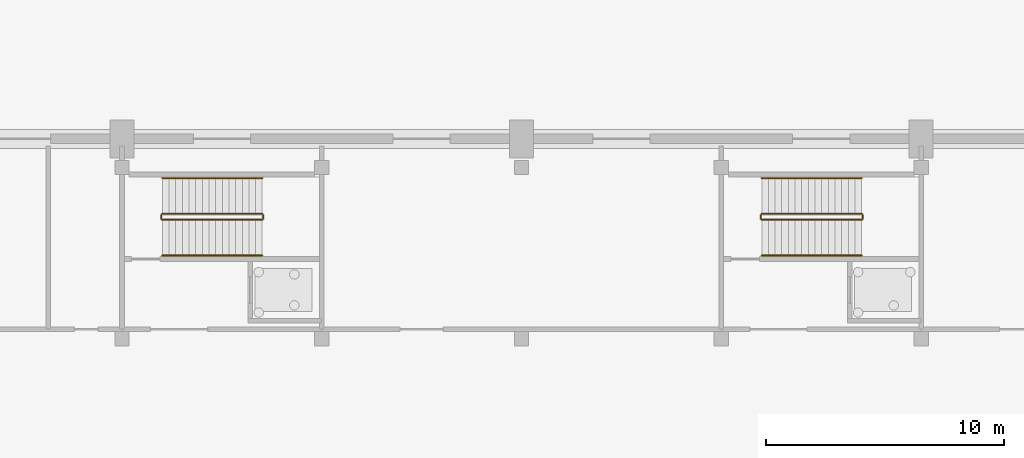
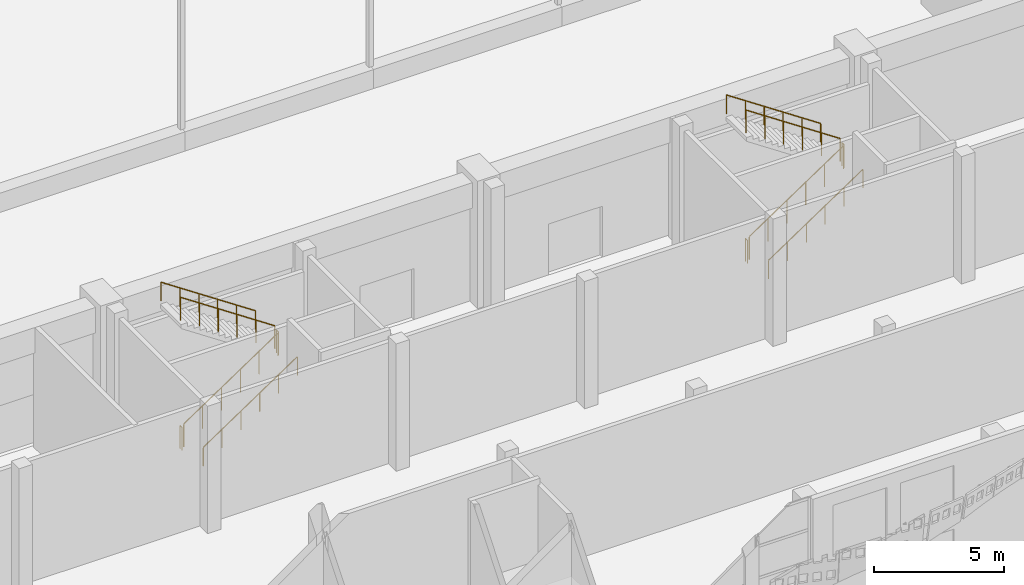
# One storey, part 177 of 210: 12 railings.
"""IFC4 building model written with IfcOpenShell, lengths in metres."""

from ifc_helpers import new_model, si_unit, direction, frame, origin, origin_2d, place, context, subcontext, project, spatial, circle, extrude, material, type_object, element, save


model = new_model("IFC4")

# Units and contexts
model_context = context("Model", 3, precision=1e-05, world=origin(), true_north=direction((0.0, 1.0)))
body_context = subcontext(model_context, "Body", "Model", "MODEL_VIEW")
ifc_project = project(units=[si_unit("LENGTHUNIT", "METRE"), si_unit("AREAUNIT", "SQUARE_METRE"), si_unit("VOLUMEUNIT", "CUBIC_METRE"), si_unit("PLANEANGLEUNIT", "RADIAN"), si_unit("MASSUNIT", "GRAM", prefix="KILO")], contexts=[model_context])

# Site, building, storey
site_placement = place(None, origin())
site = spatial("IfcSite", under=ifc_project, at=site_placement, CompositionType="ELEMENT")
building_placement = place(site_placement, origin())
building = spatial("IfcBuilding", under=site, at=building_placement, Name="Rain Tree Exposition and Congress Centre", CompositionType="ELEMENT")
storey_placement = place(building_placement, origin())
storey = spatial("IfcBuildingStorey", under=building, at=storey_placement, Name="L00", CompositionType="ELEMENT", Elevation=0.0)

# Railings
ifc_material_1 = material(Name="Aluminium and glass balustrade", Category="aluminium")
railing_type_1 = type_object("IfcRailingType", Name="Concourse guard 1100", PredefinedType="GUARDRAIL", material=ifc_material_1)
railing_1_placement = place(storey_placement, frame((77.300048828125, 97.39990234375, 0.1875)))
element("IfcRailing", 1, at=railing_1_placement, inside=storey, type_object=railing_type_1, Name="L00 ST-C9 stair guard 1", PredefinedType="GUARDRAIL", context=body_context, shape_type="SweptSolid", body=[
    extrude(circle(Radius=0.02392578125, at=origin_2d()), frame((0.0, 0.0, 1.076171875), z_axis=(0.830904186295, 0.0, 0.556415522067), x_axis=(0.0, 1.0, 0.0)), (0.0, 0.0, 1.0), 5.0546875),
    extrude(circle(Radius=0.02099609375, at=origin_2d()), origin(), (0.0, 0.0, 1.0), 1.052001953125),
    extrude(circle(Radius=0.02099609375, at=origin_2d()), frame((0.840087890625, 0.0, 0.5625)), (0.0, 0.0, 1.0), 1.052001953125),
    extrude(circle(Radius=0.02099609375, at=origin_2d()), frame((1.679931640625, 0.0, 1.125)), (0.0, 0.0, 1.0), 1.052001953125),
    extrude(circle(Radius=0.02099609375, at=origin_2d()), frame((2.52001953125, 0.0, 1.6875)), (0.0, 0.0, 1.0), 1.052001953125),
    extrude(circle(Radius=0.02099609375, at=origin_2d()), frame((3.35986328125, 0.0, 2.25)), (0.0, 0.0, 1.0), 1.052001953125),
    extrude(circle(Radius=0.02099609375, at=origin_2d()), frame((4.199951171875, 0.0, 2.8125)), (0.0, 0.0, 1.0), 1.052001953125),
])
railing_2_placement = place(storey_placement, frame((81.550048828125, 97.449951171875, 3.0)))
element("IfcRailing", 2, at=railing_2_placement, inside=storey, type_object=railing_type_1, Name="L00 ST-C9 stair guard 2", PredefinedType="GUARDRAIL", context=body_context, shape_type="SweptSolid", body=[
    extrude(circle(Radius=0.02392578125, at=origin_2d()), frame((0.0, 0.0, 1.076171875), z_axis=(0.0, 1.0, 0.0), x_axis=(-1.0, 0.0, 0.0)), (0.0, 0.0, 1.0), 0.150146484375),
    extrude(circle(Radius=0.02099609375, at=origin_2d()), origin(), (0.0, 0.0, 1.0), 1.052001953125),
    extrude(circle(Radius=0.02099609375, at=origin_2d()), frame((0.0, 0.150146484375, 0.0)), (0.0, 0.0, 1.0), 1.052001953125),
])
railing_3_placement = place(storey_placement, frame((81.5, 97.64990234375, 3.1875)))
element("IfcRailing", 3, at=railing_3_placement, inside=storey, type_object=railing_type_1, Name="L00 ST-C9 stair guard 3", PredefinedType="GUARDRAIL", context=body_context, shape_type="SweptSolid", body=[
    extrude(circle(Radius=0.02392578125, at=origin_2d()), frame((0.0, 0.0, 1.076171875), z_axis=(-0.830904186295, 0.0, 0.556415522067), x_axis=(0.0, -1.0, 0.0)), (0.0, 0.0, 1.0), 5.0546875),
    extrude(circle(Radius=0.02099609375, at=origin_2d()), origin(), (0.0, 0.0, 1.0), 1.052001953125),
    extrude(circle(Radius=0.02099609375, at=origin_2d()), frame((-0.840087890625, 0.0, 0.5625)), (0.0, 0.0, 1.0), 1.052001953125),
    extrude(circle(Radius=0.02099609375, at=origin_2d()), frame((-1.679931640625, 0.0, 1.125)), (0.0, 0.0, 1.0), 1.052001953125),
    extrude(circle(Radius=0.02099609375, at=origin_2d()), frame((-2.52001953125, 0.0, 1.6875)), (0.0, 0.0, 1.0), 1.052001953125),
    extrude(circle(Radius=0.02099609375, at=origin_2d()), frame((-3.35986328125, 0.0, 2.25)), (0.0, 0.0, 1.0), 1.052001953125),
    extrude(circle(Radius=0.02099609375, at=origin_2d()), frame((-4.199951171875, 0.0, 2.8125)), (0.0, 0.0, 1.0), 1.052001953125),
])
railing_4_placement = place(storey_placement, frame((77.25, 97.449951171875, 0.0)))
element("IfcRailing", 4, at=railing_4_placement, inside=storey, type_object=railing_type_1, Name="L00 ST-C9 stair guard 4", PredefinedType="GUARDRAIL", context=body_context, shape_type="SweptSolid", body=[
    extrude(circle(Radius=0.02392578125, at=origin_2d()), frame((0.0, 0.0, 1.076171875), z_axis=(0.0, 1.0, 0.0), x_axis=(-1.0, 0.0, 0.0)), (0.0, 0.0, 1.0), 0.150146484375),
    extrude(circle(Radius=0.02099609375, at=origin_2d()), origin(), (0.0, 0.0, 1.0), 1.052001953125),
    extrude(circle(Radius=0.02099609375, at=origin_2d()), frame((0.0, 0.150146484375, 0.0)), (0.0, 0.0, 1.0), 1.052001953125),
])
railing_5_placement = place(storey_placement, frame((102.5, 97.39990234375, 0.1875)))
element("IfcRailing", 5, at=railing_5_placement, inside=storey, type_object=railing_type_1, Name="L00 ST-C10 stair guard 1", PredefinedType="GUARDRAIL", context=body_context, shape_type="SweptSolid", body=[
    extrude(circle(Radius=0.02392578125, at=origin_2d()), frame((0.0, 0.0, 1.076171875), z_axis=(0.830904186295, 0.0, 0.556415522067), x_axis=(0.0, 1.0, 0.0)), (0.0, 0.0, 1.0), 5.0546875),
    extrude(circle(Radius=0.02099609375, at=origin_2d()), origin(), (0.0, 0.0, 1.0), 1.052001953125),
    extrude(circle(Radius=0.02099609375, at=origin_2d()), frame((0.840087890625, 0.0, 0.5625)), (0.0, 0.0, 1.0), 1.052001953125),
    extrude(circle(Radius=0.02099609375, at=origin_2d()), frame((1.679931640625, 0.0, 1.125)), (0.0, 0.0, 1.0), 1.052001953125),
    extrude(circle(Radius=0.02099609375, at=origin_2d()), frame((2.52001953125, 0.0, 1.6875)), (0.0, 0.0, 1.0), 1.052001953125),
    extrude(circle(Radius=0.02099609375, at=origin_2d()), frame((3.35986328125, 0.0, 2.25)), (0.0, 0.0, 1.0), 1.052001953125),
    extrude(circle(Radius=0.02099609375, at=origin_2d()), frame((4.199951171875, 0.0, 2.8125)), (0.0, 0.0, 1.0), 1.052001953125),
])
railing_6_placement = place(storey_placement, frame((106.75, 97.449951171875, 3.0)))
element("IfcRailing", 6, at=railing_6_placement, inside=storey, type_object=railing_type_1, Name="L00 ST-C10 stair guard 2", PredefinedType="GUARDRAIL", context=body_context, shape_type="SweptSolid", body=[
    extrude(circle(Radius=0.02392578125, at=origin_2d()), frame((0.0, 0.0, 1.076171875), z_axis=(0.0, 1.0, 0.0), x_axis=(-1.0, 0.0, 0.0)), (0.0, 0.0, 1.0), 0.150146484375),
    extrude(circle(Radius=0.02099609375, at=origin_2d()), origin(), (0.0, 0.0, 1.0), 1.052001953125),
    extrude(circle(Radius=0.02099609375, at=origin_2d()), frame((0.0, 0.150146484375, 0.0)), (0.0, 0.0, 1.0), 1.052001953125),
])
railing_7_placement = place(storey_placement, frame((106.699951171875, 97.64990234375, 3.1875)))
element("IfcRailing", 7, at=railing_7_placement, inside=storey, type_object=railing_type_1, Name="L00 ST-C10 stair guard 3", PredefinedType="GUARDRAIL", context=body_context, shape_type="SweptSolid", body=[
    extrude(circle(Radius=0.02392578125, at=origin_2d()), frame((0.0, 0.0, 1.076171875), z_axis=(-0.830904186295, 0.0, 0.556415522067), x_axis=(0.0, -1.0, 0.0)), (0.0, 0.0, 1.0), 5.0546875),
    extrude(circle(Radius=0.02099609375, at=origin_2d()), origin(), (0.0, 0.0, 1.0), 1.052001953125),
    extrude(circle(Radius=0.02099609375, at=origin_2d()), frame((-0.840087890625, 0.0, 0.5625)), (0.0, 0.0, 1.0), 1.052001953125),
    extrude(circle(Radius=0.02099609375, at=origin_2d()), frame((-1.679931640625, 0.0, 1.125)), (0.0, 0.0, 1.0), 1.052001953125),
    extrude(circle(Radius=0.02099609375, at=origin_2d()), frame((-2.52001953125, 0.0, 1.6875)), (0.0, 0.0, 1.0), 1.052001953125),
    extrude(circle(Radius=0.02099609375, at=origin_2d()), frame((-3.35986328125, 0.0, 2.25)), (0.0, 0.0, 1.0), 1.052001953125),
    extrude(circle(Radius=0.02099609375, at=origin_2d()), frame((-4.199951171875, 0.0, 2.8125)), (0.0, 0.0, 1.0), 1.052001953125),
])
railing_8_placement = place(storey_placement, frame((102.449951171875, 97.449951171875, 0.0)))
element("IfcRailing", 8, at=railing_8_placement, inside=storey, type_object=railing_type_1, Name="L00 ST-C10 stair guard 4", PredefinedType="GUARDRAIL", context=body_context, shape_type="SweptSolid", body=[
    extrude(circle(Radius=0.02392578125, at=origin_2d()), frame((0.0, 0.0, 1.076171875), z_axis=(0.0, 1.0, 0.0), x_axis=(-1.0, 0.0, 0.0)), (0.0, 0.0, 1.0), 0.150146484375),
    extrude(circle(Radius=0.02099609375, at=origin_2d()), origin(), (0.0, 0.0, 1.0), 1.052001953125),
    extrude(circle(Radius=0.02099609375, at=origin_2d()), frame((0.0, 0.150146484375, 0.0)), (0.0, 0.0, 1.0), 1.052001953125),
])
ifc_material_2 = material(Name="Aluminium handrail", Category="aluminium")
railing_type_2 = type_object("IfcRailingType", Name="Concourse handrail 900", PredefinedType="HANDRAIL", material=ifc_material_2)
railing_9_placement = place(storey_placement, frame((77.300048828125, 95.89990234375, 0.1875)))
element("IfcRailing", 9, at=railing_9_placement, inside=storey, type_object=railing_type_2, Name="L00 ST-C9 stair handrail 1", PredefinedType="HANDRAIL", context=body_context, shape_type="SweptSolid", body=[
    extrude(circle(Radius=0.02392578125, at=origin_2d()), frame((0.0, 0.0, 0.8759765625), z_axis=(0.830904186295, 0.0, 0.556415522067), x_axis=(0.0, 1.0, 0.0)), (0.0, 0.0, 1.0), 5.0546875),
    extrude(circle(Radius=0.02099609375, at=origin_2d()), origin(), (0.0, 0.0, 1.0), 0.851806640625),
    extrude(circle(Radius=0.02099609375, at=origin_2d()), frame((0.840087890625, 0.0, 0.5625)), (0.0, 0.0, 1.0), 0.851806640625),
    extrude(circle(Radius=0.02099609375, at=origin_2d()), frame((1.679931640625, 0.0, 1.125)), (0.0, 0.0, 1.0), 0.851806640625),
    extrude(circle(Radius=0.02099609375, at=origin_2d()), frame((2.52001953125, 0.0, 1.6875)), (0.0, 0.0, 1.0), 0.851806640625),
    extrude(circle(Radius=0.02099609375, at=origin_2d()), frame((3.35986328125, 0.0, 2.25)), (0.0, 0.0, 1.0), 0.851806640625),
    extrude(circle(Radius=0.02099609375, at=origin_2d()), frame((4.199951171875, 0.0, 2.8125)), (0.0, 0.0, 1.0), 0.851806640625),
])
railing_10_placement = place(storey_placement, frame((81.5, 99.14990234375, 3.1875)))
element("IfcRailing", 10, at=railing_10_placement, inside=storey, type_object=railing_type_2, Name="L00 ST-C9 stair handrail 2", PredefinedType="HANDRAIL", context=body_context, shape_type="SweptSolid", body=[
    extrude(circle(Radius=0.02392578125, at=origin_2d()), frame((0.0, 0.0, 0.8759765625), z_axis=(-0.830904186295, 0.0, 0.556415522067), x_axis=(0.0, -1.0, 0.0)), (0.0, 0.0, 1.0), 5.0546875),
    extrude(circle(Radius=0.02099609375, at=origin_2d()), origin(), (0.0, 0.0, 1.0), 0.851806640625),
    extrude(circle(Radius=0.02099609375, at=origin_2d()), frame((-0.840087890625, 0.0, 0.5625)), (0.0, 0.0, 1.0), 0.851806640625),
    extrude(circle(Radius=0.02099609375, at=origin_2d()), frame((-1.679931640625, 0.0, 1.125)), (0.0, 0.0, 1.0), 0.851806640625),
    extrude(circle(Radius=0.02099609375, at=origin_2d()), frame((-2.52001953125, 0.0, 1.6875)), (0.0, 0.0, 1.0), 0.851806640625),
    extrude(circle(Radius=0.02099609375, at=origin_2d()), frame((-3.35986328125, 0.0, 2.25)), (0.0, 0.0, 1.0), 0.851806640625),
    extrude(circle(Radius=0.02099609375, at=origin_2d()), frame((-4.199951171875, 0.0, 2.8125)), (0.0, 0.0, 1.0), 0.851806640625),
])
railing_11_placement = place(storey_placement, frame((102.5, 95.89990234375, 0.1875)))
element("IfcRailing", 11, at=railing_11_placement, inside=storey, type_object=railing_type_2, Name="L00 ST-C10 stair handrail 1", PredefinedType="HANDRAIL", context=body_context, shape_type="SweptSolid", body=[
    extrude(circle(Radius=0.02392578125, at=origin_2d()), frame((0.0, 0.0, 0.8759765625), z_axis=(0.830904186295, 0.0, 0.556415522067), x_axis=(0.0, 1.0, 0.0)), (0.0, 0.0, 1.0), 5.0546875),
    extrude(circle(Radius=0.02099609375, at=origin_2d()), origin(), (0.0, 0.0, 1.0), 0.851806640625),
    extrude(circle(Radius=0.02099609375, at=origin_2d()), frame((0.840087890625, 0.0, 0.5625)), (0.0, 0.0, 1.0), 0.851806640625),
    extrude(circle(Radius=0.02099609375, at=origin_2d()), frame((1.679931640625, 0.0, 1.125)), (0.0, 0.0, 1.0), 0.851806640625),
    extrude(circle(Radius=0.02099609375, at=origin_2d()), frame((2.52001953125, 0.0, 1.6875)), (0.0, 0.0, 1.0), 0.851806640625),
    extrude(circle(Radius=0.02099609375, at=origin_2d()), frame((3.35986328125, 0.0, 2.25)), (0.0, 0.0, 1.0), 0.851806640625),
    extrude(circle(Radius=0.02099609375, at=origin_2d()), frame((4.199951171875, 0.0, 2.8125)), (0.0, 0.0, 1.0), 0.851806640625),
])
railing_12_placement = place(storey_placement, frame((106.699951171875, 99.14990234375, 3.1875)))
element("IfcRailing", 12, at=railing_12_placement, inside=storey, type_object=railing_type_2, Name="L00 ST-C10 stair handrail 2", PredefinedType="HANDRAIL", context=body_context, shape_type="SweptSolid", body=[
    extrude(circle(Radius=0.02392578125, at=origin_2d()), frame((0.0, 0.0, 0.8759765625), z_axis=(-0.830904186295, 0.0, 0.556415522067), x_axis=(0.0, -1.0, 0.0)), (0.0, 0.0, 1.0), 5.0546875),
    extrude(circle(Radius=0.02099609375, at=origin_2d()), origin(), (0.0, 0.0, 1.0), 0.851806640625),
    extrude(circle(Radius=0.02099609375, at=origin_2d()), frame((-0.840087890625, 0.0, 0.5625)), (0.0, 0.0, 1.0), 0.851806640625),
    extrude(circle(Radius=0.02099609375, at=origin_2d()), frame((-1.679931640625, 0.0, 1.125)), (0.0, 0.0, 1.0), 0.851806640625),
    extrude(circle(Radius=0.02099609375, at=origin_2d()), frame((-2.52001953125, 0.0, 1.6875)), (0.0, 0.0, 1.0), 0.851806640625),
    extrude(circle(Radius=0.02099609375, at=origin_2d()), frame((-3.35986328125, 0.0, 2.25)), (0.0, 0.0, 1.0), 0.851806640625),
    extrude(circle(Radius=0.02099609375, at=origin_2d()), frame((-4.199951171875, 0.0, 2.8125)), (0.0, 0.0, 1.0), 0.851806640625),
])

save(model, "model.ifc")
